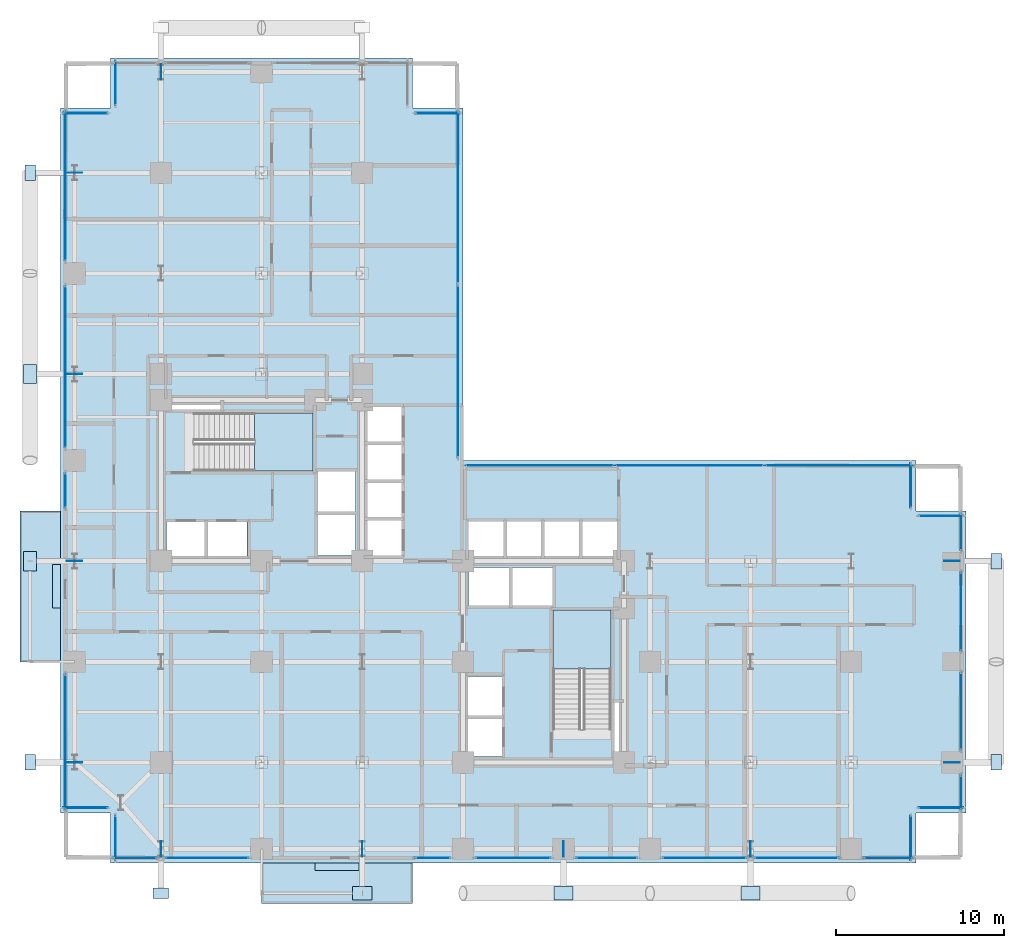
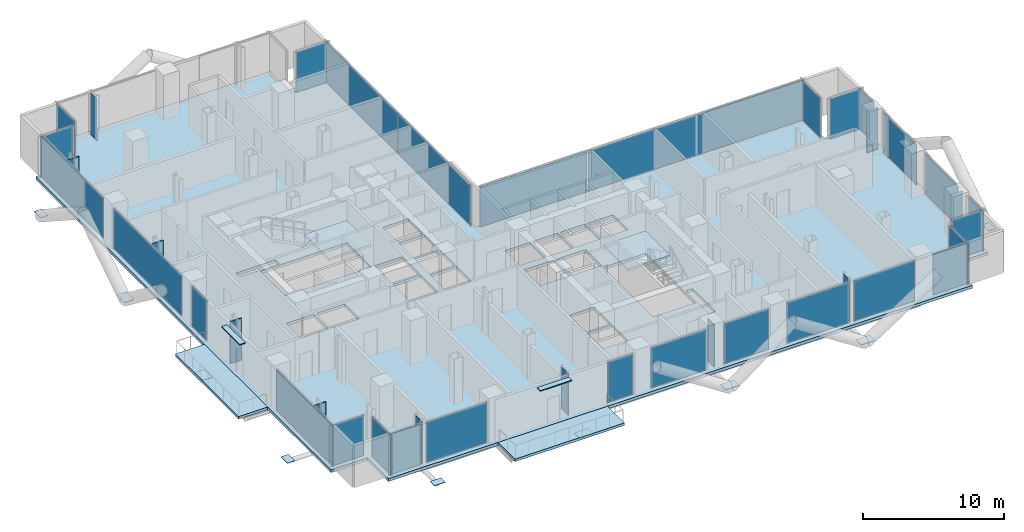
# One storey, part 17 of 25: 53 plates, 5 slabs, 29 elements without a shape of their own.
"""IFC4 building model written with IfcOpenShell, lengths in metres."""

from ifc_helpers import new_model, si_unit, direction, frame, origin, origin_2d, place, context, subcontext, project, spatial, polyline, rectangle, outline, extrude, material, layer, layer_set, type_object, element, aggregate, save


model = new_model("IFC4")

# Units and contexts
model_context = context("Model", 3, precision=1e-05, world=origin(), true_north=direction((0.0, 1.0)))
body_context = subcontext(model_context, "Body", "Model", "MODEL_VIEW")
ifc_project = project(units=[si_unit("LENGTHUNIT", "METRE"), si_unit("AREAUNIT", "SQUARE_METRE"), si_unit("VOLUMEUNIT", "CUBIC_METRE"), si_unit("PLANEANGLEUNIT", "RADIAN"), si_unit("MASSUNIT", "GRAM", prefix="KILO"), si_unit("THERMODYNAMICTEMPERATUREUNIT", "KELVIN"), si_unit("POWERUNIT", "WATT")], contexts=[model_context])

# Site, building, storey
site_placement = place(None, origin())
site = spatial("IfcSite", under=ifc_project, at=site_placement, CompositionType="ELEMENT")
building_placement = place(site_placement, origin())
building = spatial("IfcBuilding", under=site, at=building_placement, Name="Svarakhadi Broadcast Tower", CompositionType="ELEMENT")
storey_placement = place(building_placement, frame((0.0, 0.0, 79.199951171875)))
storey = spatial("IfcBuildingStorey", under=building, at=storey_placement, Name="L18", CompositionType="ELEMENT", Elevation=79.199951171875)

# Curtain wall, plate
ifc_material_1 = material(Name="Anodised Bronze Aluminium AA 6063-T6", Category="aluminium")
ifc_layer_1 = layer(ifc_material_1, 0.219970703125)
ifc_layer_set_1 = layer_set([ifc_layer_1], Name="Anodised Bronze Aluminium AA 6063-T6")
curtain_wall_type = type_object("IfcCurtainWallType", Name="CW_Sys_02", PredefinedType="NOTDEFINED", material=ifc_layer_set_1)
curtain_wall_1_placement = place(storey_placement, origin())
curtain_wall_1 = element("IfcCurtainWall", 1, at=curtain_wall_1_placement, inside=storey, type_object=curtain_wall_type, Name="L18 Unitised Facade Curtain Wall 01", PredefinedType="NOTDEFINED")
ifc_material_2 = material(Name="Double Low-E Laminated Acoustic Glass IGU 36 mm", Category="glass")
ifc_layer_2 = layer(ifc_material_2, 0.035888671875)
ifc_layer_set_2 = layer_set([ifc_layer_2], Name="Double Low-E Laminated Acoustic Glass IGU 36 mm")
plate_type_1 = type_object("IfcPlateType", Name="CW_Sys_02_Pnl", PredefinedType="CURTAIN_PANEL", material=ifc_layer_set_2)
plate_1_placement = place(storey_placement, frame((1.5, 3.300048828125, 0.074951171875), z_axis=(0.0, 0.0, 1.0), x_axis=(-1.0, 0.0, 0.0)))
plate_1 = element("IfcPlate", 2, at=plate_1_placement, type_object=plate_type_1, Name="CW-02 panel 1.1", PredefinedType="CURTAIN_PANEL", context=body_context, shape_type="SweptSolid", body=[
    extrude(rectangle(XDim=2.64990234375, YDim=0.035888671875, at=origin_2d()), origin(), (0.0, 0.0, 1.0), 3.5),
])
aggregate(curtain_wall_1, [plate_1])

curtain_wall_2_placement = place(storey_placement, origin())
curtain_wall_2 = element("IfcCurtainWall", 3, at=curtain_wall_2_placement, inside=storey, type_object=curtain_wall_type, Name="L18 West Curtain Wall 02", PredefinedType="NOTDEFINED")
plate_2_placement = place(storey_placement, frame((0.300048828125, 7.2099609375, 0.074951171875), z_axis=(0.0, 0.0, 1.0), x_axis=(0.0, 1.0, 0.0)))
plate_2 = element("IfcPlate", 4, at=plate_2_placement, type_object=plate_type_1, Name="CW-02 panel 1.1", PredefinedType="CURTAIN_PANEL", context=body_context, shape_type="SweptSolid", body=[
    extrude(rectangle(XDim=8.070068359375, YDim=0.035888671875, at=origin_2d()), origin(), (0.0, 0.0, 1.0), 3.5),
])
aggregate(curtain_wall_2, [plate_2])

curtain_wall_3_placement = place(storey_placement, origin())
curtain_wall_3 = element("IfcCurtainWall", 5, at=curtain_wall_3_placement, inside=storey, type_object=curtain_wall_type, Name="L18 West Curtain Wall 03 Bay 1", PredefinedType="NOTDEFINED")
plate_3_placement = place(storey_placement, frame((0.300048828125, 22.2099609375, 0.074951171875), z_axis=(0.0, 0.0, 1.0), x_axis=(0.0, 1.0, 0.0)))
plate_3 = element("IfcPlate", 6, at=plate_3_placement, type_object=plate_type_1, Name="CW-02 panel 1.1", PredefinedType="CURTAIN_PANEL", context=body_context, shape_type="SweptSolid", body=[
    extrude(rectangle(XDim=2.070068359375, YDim=0.035888671875, at=origin_2d()), origin(), (0.0, 0.0, 1.0), 3.5),
])
aggregate(curtain_wall_3, [plate_3])

curtain_wall_4_placement = place(storey_placement, origin())
curtain_wall_4 = element("IfcCurtainWall", 7, at=curtain_wall_4_placement, inside=storey, type_object=curtain_wall_type, Name="L18 West Curtain Wall 03 Bay 2", PredefinedType="NOTDEFINED")
plate_4_placement = place(storey_placement, frame((0.300048828125, 29.574951171875, 0.074951171875), z_axis=(0.0, 0.0, 1.0), x_axis=(0.0, 1.0, 0.0)))
plate_4 = element("IfcPlate", 8, at=plate_4_placement, type_object=plate_type_1, Name="CW-02 panel 1.1", PredefinedType="CURTAIN_PANEL", context=body_context, shape_type="SweptSolid", body=[
    extrude(rectangle(XDim=9.639892578125, YDim=0.035888671875, at=origin_2d()), origin(), (0.0, 0.0, 1.0), 3.5),
])
aggregate(curtain_wall_4, [plate_4])

curtain_wall_5_placement = place(storey_placement, origin())
curtain_wall_5 = element("IfcCurtainWall", 9, at=curtain_wall_5_placement, inside=storey, type_object=curtain_wall_type, Name="L18 West Curtain Wall 03 Bay 3", PredefinedType="NOTDEFINED")
plate_5_placement = place(storey_placement, frame((0.300048828125, 40.364990234375, 0.074951171875), z_axis=(0.0, 0.0, 1.0), x_axis=(0.0, 1.0, 0.0)))
plate_5 = element("IfcPlate", 10, at=plate_5_placement, type_object=plate_type_1, Name="CW-02 panel 1.1", PredefinedType="CURTAIN_PANEL", context=body_context, shape_type="SweptSolid", body=[
    extrude(rectangle(XDim=8.919921875, YDim=0.035888671875, at=origin_2d()), origin(), (0.0, 0.0, 1.0), 3.5),
])
aggregate(curtain_wall_5, [plate_5])

curtain_wall_6_placement = place(storey_placement, origin())
curtain_wall_6 = element("IfcCurtainWall", 11, at=curtain_wall_6_placement, inside=storey, type_object=curtain_wall_type, Name="L18 Unitised Facade Curtain Wall 04", PredefinedType="NOTDEFINED")
plate_6_placement = place(storey_placement, frame((1.5, 44.699951171875, 0.074951171875), z_axis=(0.0, 0.0, 1.0), x_axis=(1.0, 0.0, 0.0)))
plate_6 = element("IfcPlate", 12, at=plate_6_placement, type_object=plate_type_1, Name="CW-02 panel 1.1", PredefinedType="CURTAIN_PANEL", context=body_context, shape_type="SweptSolid", body=[
    extrude(rectangle(XDim=2.64990234375, YDim=0.035888671875, at=origin_2d()), origin(), (0.0, 0.0, 1.0), 3.5),
])
aggregate(curtain_wall_6, [plate_6])

curtain_wall_7_placement = place(storey_placement, origin())
curtain_wall_7 = element("IfcCurtainWall", 13, at=curtain_wall_7_placement, inside=storey, type_object=curtain_wall_type, Name="L18 Unitised Facade Curtain Wall 05", PredefinedType="NOTDEFINED")
plate_7_placement = place(storey_placement, frame((3.300048828125, 46.5, 0.074951171875), z_axis=(0.0, 0.0, 1.0), x_axis=(0.0, 1.0, 0.0)))
plate_7 = element("IfcPlate", 14, at=plate_7_placement, type_object=plate_type_1, Name="CW-02 panel 1.1", PredefinedType="CURTAIN_PANEL", context=body_context, shape_type="SweptSolid", body=[
    extrude(rectangle(XDim=2.64990234375, YDim=0.035888671875, at=origin_2d()), origin(), (0.0, 0.0, 1.0), 3.5),
])
aggregate(curtain_wall_7, [plate_7])

curtain_wall_8_placement = place(storey_placement, origin())
curtain_wall_8 = element("IfcCurtainWall", 15, at=curtain_wall_8_placement, inside=storey, type_object=curtain_wall_type, Name="L18 Unitised Facade Curtain Wall 08", PredefinedType="NOTDEFINED")
plate_8_placement = place(storey_placement, frame((22.5, 44.699951171875, 0.074951171875), z_axis=(0.0, 0.0, 1.0), x_axis=(1.0, 0.0, 0.0)))
plate_8 = element("IfcPlate", 16, at=plate_8_placement, type_object=plate_type_1, Name="CW-02 panel 1.1", PredefinedType="CURTAIN_PANEL", context=body_context, shape_type="SweptSolid", body=[
    extrude(rectangle(XDim=2.64990234375, YDim=0.035888671875, at=origin_2d()), origin(), (0.0, 0.0, 1.0), 3.5),
])
aggregate(curtain_wall_8, [plate_8])

# Curtain wall, plates
curtain_wall_9_placement = place(storey_placement, origin())
curtain_wall_9 = element("IfcCurtainWall", 17, at=curtain_wall_9_placement, inside=storey, type_object=curtain_wall_type, Name="L18 Unitised Facade Curtain Wall 09", PredefinedType="NOTDEFINED")
plate_9_placement = place(storey_placement, frame((23.699951171875, 39.683837890625, 0.074951171875), z_axis=(0.0, 0.0, 1.0), x_axis=(0.0, -1.0, 0.0)))
plate_9 = element("IfcPlate", 18, at=plate_9_placement, type_object=plate_type_1, Name="CW-02 panel 1.1", PredefinedType="CURTAIN_PANEL", context=body_context, shape_type="SweptSolid", body=[
    extrude(rectangle(XDim=10.282470703125, YDim=0.035888671875, at=origin_2d()), origin(), (0.0, 0.0, 1.0), 3.5),
])
plate_10_placement = place(storey_placement, frame((23.699951171875, 29.316162109375, 0.074951171875), z_axis=(0.0, 0.0, 1.0), x_axis=(0.0, -1.0, 0.0)))
plate_10 = element("IfcPlate", 19, at=plate_10_placement, type_object=plate_type_1, Name="CW-02 panel 2.1", PredefinedType="CURTAIN_PANEL", context=body_context, shape_type="SweptSolid", body=[
    extrude(rectangle(XDim=10.282470703125, YDim=0.035888671875, at=origin_2d()), origin(), (0.0, 0.0, 1.0), 3.5),
])
aggregate(curtain_wall_9, [plate_9, plate_10])

curtain_wall_10_placement = place(storey_placement, origin())
curtain_wall_10 = element("IfcCurtainWall", 20, at=curtain_wall_10_placement, inside=storey, type_object=curtain_wall_type, Name="L18 Unitised Facade Curtain Wall 10", PredefinedType="NOTDEFINED")
plate_11_placement = place(storey_placement, frame((28.581298828125, 23.699951171875, 0.074951171875), z_axis=(0.0, 0.0, 1.0), x_axis=(1.0, 0.0, 0.0)))
plate_11 = element("IfcPlate", 21, at=plate_11_placement, type_object=plate_type_1, Name="CW-02 panel 1.1", PredefinedType="CURTAIN_PANEL", context=body_context, shape_type="SweptSolid", body=[
    extrude(rectangle(XDim=8.8125, YDim=0.035888671875, at=origin_2d()), origin(), (0.0, 0.0, 1.0), 3.5),
])
plate_12_placement = place(storey_placement, frame((37.5, 23.699951171875, 0.074951171875), z_axis=(0.0, 0.0, 1.0), x_axis=(1.0, 0.0, 0.0)))
plate_12 = element("IfcPlate", 22, at=plate_12_placement, type_object=plate_type_1, Name="CW-02 panel 2.1", PredefinedType="CURTAIN_PANEL", context=body_context, shape_type="SweptSolid", body=[
    extrude(rectangle(XDim=8.85498046875, YDim=0.035888671875, at=origin_2d()), origin(), (0.0, 0.0, 1.0), 3.5),
])
plate_13_placement = place(storey_placement, frame((46.418701171875, 23.699951171875, 0.074951171875), z_axis=(0.0, 0.0, 1.0), x_axis=(1.0, 0.0, 0.0)))
plate_13 = element("IfcPlate", 23, at=plate_13_placement, type_object=plate_type_1, Name="CW-02 panel 3.1", PredefinedType="CURTAIN_PANEL", context=body_context, shape_type="SweptSolid", body=[
    extrude(rectangle(XDim=8.8125, YDim=0.035888671875, at=origin_2d()), origin(), (0.0, 0.0, 1.0), 3.5),
])
aggregate(curtain_wall_10, [plate_11, plate_12, plate_13])

# Curtain wall, plate
curtain_wall_11_placement = place(storey_placement, origin())
curtain_wall_11 = element("IfcCurtainWall", 24, at=curtain_wall_11_placement, inside=storey, type_object=curtain_wall_type, Name="L18 Unitised Facade Curtain Wall 11", PredefinedType="NOTDEFINED")
plate_14_placement = place(storey_placement, frame((50.699951171875, 22.5, 0.074951171875), z_axis=(0.0, 0.0, 1.0), x_axis=(0.0, -1.0, 0.0)))
plate_14 = element("IfcPlate", 25, at=plate_14_placement, type_object=plate_type_1, Name="CW-02 panel 1.1", PredefinedType="CURTAIN_PANEL", context=body_context, shape_type="SweptSolid", body=[
    extrude(rectangle(XDim=2.64990234375, YDim=0.035888671875, at=origin_2d()), origin(), (0.0, 0.0, 1.0), 3.5),
])
aggregate(curtain_wall_11, [plate_14])

curtain_wall_12_placement = place(storey_placement, origin())
curtain_wall_12 = element("IfcCurtainWall", 26, at=curtain_wall_12_placement, inside=storey, type_object=curtain_wall_type, Name="L18 Unitised Facade Curtain Wall 12", PredefinedType="NOTDEFINED")
plate_15_placement = place(storey_placement, frame((52.5, 20.699951171875, 0.074951171875), z_axis=(0.0, 0.0, 1.0), x_axis=(1.0, 0.0, 0.0)))
plate_15 = element("IfcPlate", 27, at=plate_15_placement, type_object=plate_type_1, Name="CW-02 panel 1.1", PredefinedType="CURTAIN_PANEL", context=body_context, shape_type="SweptSolid", body=[
    extrude(rectangle(XDim=2.64990234375, YDim=0.035888671875, at=origin_2d()), origin(), (0.0, 0.0, 1.0), 3.5),
])
aggregate(curtain_wall_12, [plate_15])

curtain_wall_13_placement = place(storey_placement, origin())
curtain_wall_13 = element("IfcCurtainWall", 28, at=curtain_wall_13_placement, inside=storey, type_object=curtain_wall_type, Name="L18 Unitised Facade Curtain Wall 13 Bay 1", PredefinedType="NOTDEFINED")
plate_16_placement = place(storey_placement, frame((53.699951171875, 19.739990234375, 0.074951171875), z_axis=(0.0, 0.0, 1.0), x_axis=(0.0, -1.0, 0.0)))
plate_16 = element("IfcPlate", 29, at=plate_16_placement, type_object=plate_type_1, Name="CW-02 panel 1.1", PredefinedType="CURTAIN_PANEL", context=body_context, shape_type="SweptSolid", body=[
    extrude(rectangle(XDim=2.169921875, YDim=0.035888671875, at=origin_2d()), origin(), (0.0, 0.0, 1.0), 3.5),
])
aggregate(curtain_wall_13, [plate_16])

curtain_wall_14_placement = place(storey_placement, origin())
curtain_wall_14 = element("IfcCurtainWall", 30, at=curtain_wall_14_placement, inside=storey, type_object=curtain_wall_type, Name="L18 Unitised Facade Curtain Wall 13 Bay 2", PredefinedType="NOTDEFINED")
plate_17_placement = place(storey_placement, frame((53.699951171875, 15.0, 0.074951171875), z_axis=(0.0, 0.0, 1.0), x_axis=(0.0, -1.0, 0.0)))
plate_17 = element("IfcPlate", 31, at=plate_17_placement, type_object=plate_type_1, Name="CW-02 panel 1.1", PredefinedType="CURTAIN_PANEL", context=body_context, shape_type="SweptSolid", body=[
    extrude(rectangle(XDim=4.68994140625, YDim=0.035888671875, at=origin_2d()), origin(), (0.0, 0.0, 1.0), 3.5),
])
aggregate(curtain_wall_14, [plate_17])

curtain_wall_15_placement = place(storey_placement, origin())
curtain_wall_15 = element("IfcCurtainWall", 32, at=curtain_wall_15_placement, inside=storey, type_object=curtain_wall_type, Name="L18 Unitised Facade Curtain Wall 13 Bay 3", PredefinedType="NOTDEFINED")
plate_18_placement = place(storey_placement, frame((53.699951171875, 9.050048828125, 0.074951171875), z_axis=(0.0, 0.0, 1.0), x_axis=(0.0, -1.0, 0.0)))
plate_18 = element("IfcPlate", 33, at=plate_18_placement, type_object=plate_type_1, Name="CW-02 panel 1.1", PredefinedType="CURTAIN_PANEL", context=body_context, shape_type="SweptSolid", body=[
    extrude(rectangle(XDim=4.590087890625, YDim=0.035888671875, at=origin_2d()), origin(), (0.0, 0.0, 1.0), 3.5),
])
aggregate(curtain_wall_15, [plate_18])

curtain_wall_16_placement = place(storey_placement, origin())
curtain_wall_16 = element("IfcCurtainWall", 34, at=curtain_wall_16_placement, inside=storey, type_object=curtain_wall_type, Name="L18 Unitised Facade Curtain Wall 13 Bay 4", PredefinedType="NOTDEFINED")
plate_19_placement = place(storey_placement, frame((53.699951171875, 4.2099609375, 0.074951171875), z_axis=(0.0, 0.0, 1.0), x_axis=(0.0, -1.0, 0.0)))
plate_19 = element("IfcPlate", 35, at=plate_19_placement, type_object=plate_type_1, Name="CW-02 panel 1.1", PredefinedType="CURTAIN_PANEL", context=body_context, shape_type="SweptSolid", body=[
    extrude(rectangle(XDim=2.070068359375, YDim=0.035888671875, at=origin_2d()), origin(), (0.0, 0.0, 1.0), 3.5),
])
aggregate(curtain_wall_16, [plate_19])

curtain_wall_17_placement = place(storey_placement, origin())
curtain_wall_17 = element("IfcCurtainWall", 36, at=curtain_wall_17_placement, inside=storey, type_object=curtain_wall_type, Name="L18 Unitised Facade Curtain Wall 14", PredefinedType="NOTDEFINED")
plate_20_placement = place(storey_placement, frame((52.5, 3.300048828125, 0.074951171875), z_axis=(0.0, 0.0, 1.0), x_axis=(-1.0, 0.0, 0.0)))
plate_20 = element("IfcPlate", 37, at=plate_20_placement, type_object=plate_type_1, Name="CW-02 panel 1.1", PredefinedType="CURTAIN_PANEL", context=body_context, shape_type="SweptSolid", body=[
    extrude(rectangle(XDim=2.64990234375, YDim=0.035888671875, at=origin_2d()), origin(), (0.0, 0.0, 1.0), 3.5),
])
aggregate(curtain_wall_17, [plate_20])

curtain_wall_18_placement = place(storey_placement, origin())
curtain_wall_18 = element("IfcCurtainWall", 38, at=curtain_wall_18_placement, inside=storey, type_object=curtain_wall_type, Name="L18 Unitised Facade Curtain Wall 15", PredefinedType="NOTDEFINED")
plate_21_placement = place(storey_placement, frame((50.699951171875, 1.5, 0.074951171875), z_axis=(0.0, 0.0, 1.0), x_axis=(0.0, -1.0, 0.0)))
plate_21 = element("IfcPlate", 39, at=plate_21_placement, type_object=plate_type_1, Name="CW-02 panel 1.1", PredefinedType="CURTAIN_PANEL", context=body_context, shape_type="SweptSolid", body=[
    extrude(rectangle(XDim=2.64990234375, YDim=0.035888671875, at=origin_2d()), origin(), (0.0, 0.0, 1.0), 3.5),
])
aggregate(curtain_wall_18, [plate_21])

curtain_wall_19_placement = place(storey_placement, origin())
curtain_wall_19 = element("IfcCurtainWall", 40, at=curtain_wall_19_placement, inside=storey, type_object=curtain_wall_type, Name="L18 South Curtain Wall 16 Bay 1", PredefinedType="NOTDEFINED")
plate_22_placement = place(storey_placement, frame((49.364990234375, 0.300048828125, 0.074951171875), z_axis=(0.0, 0.0, 1.0), x_axis=(-1.0, 0.0, 0.0)))
plate_22 = element("IfcPlate", 41, at=plate_22_placement, type_object=plate_type_1, Name="CW-02 panel 1.1", PredefinedType="CURTAIN_PANEL", context=body_context, shape_type="SweptSolid", body=[
    extrude(rectangle(XDim=2.919921875, YDim=0.035888671875, at=origin_2d()), origin(), (0.0, 0.0, 1.0), 3.5),
])
aggregate(curtain_wall_19, [plate_22])

curtain_wall_20_placement = place(storey_placement, origin())
curtain_wall_20 = element("IfcCurtainWall", 42, at=curtain_wall_20_placement, inside=storey, type_object=curtain_wall_type, Name="L18 South Curtain Wall 16 Bay 2", PredefinedType="NOTDEFINED")
plate_23_placement = place(storey_placement, frame((43.89990234375, 0.300048828125, 0.074951171875), z_axis=(0.0, 0.0, 1.0), x_axis=(-1.0, 0.0, 0.0)))
plate_23 = element("IfcPlate", 43, at=plate_23_placement, type_object=plate_type_1, Name="CW-02 panel 1.1", PredefinedType="CURTAIN_PANEL", context=body_context, shape_type="SweptSolid", body=[
    extrude(rectangle(XDim=4.989990234375, YDim=0.035888671875, at=origin_2d()), origin(), (0.0, 0.0, 1.0), 3.5),
])
aggregate(curtain_wall_20, [plate_23])

curtain_wall_21_placement = place(storey_placement, origin())
curtain_wall_21 = element("IfcCurtainWall", 44, at=curtain_wall_21_placement, inside=storey, type_object=curtain_wall_type, Name="L18 South Curtain Wall 16 Bay 3", PredefinedType="NOTDEFINED")
plate_24_placement = place(storey_placement, frame((38.39990234375, 0.300048828125, 0.074951171875), z_axis=(0.0, 0.0, 1.0), x_axis=(-1.0, 0.0, 0.0)))
plate_24 = element("IfcPlate", 45, at=plate_24_placement, type_object=plate_type_1, Name="CW-02 panel 1.1", PredefinedType="CURTAIN_PANEL", context=body_context, shape_type="SweptSolid", body=[
    extrude(rectangle(XDim=4.989990234375, YDim=0.035888671875, at=origin_2d()), origin(), (0.0, 0.0, 1.0), 3.5),
])
aggregate(curtain_wall_21, [plate_24])

curtain_wall_22_placement = place(storey_placement, origin())
curtain_wall_22 = element("IfcCurtainWall", 46, at=curtain_wall_22_placement, inside=storey, type_object=curtain_wall_type, Name="L18 South Curtain Wall 16 Bay 4", PredefinedType="NOTDEFINED")
plate_25_placement = place(storey_placement, frame((32.574951171875, 0.300048828125, 0.074951171875), z_axis=(0.0, 0.0, 1.0), x_axis=(-1.0, 0.0, 0.0)))
plate_25 = element("IfcPlate", 47, at=plate_25_placement, type_object=plate_type_1, Name="CW-02 panel 1.1", PredefinedType="CURTAIN_PANEL", context=body_context, shape_type="SweptSolid", body=[
    extrude(rectangle(XDim=3.639892578125, YDim=0.035888671875, at=origin_2d()), origin(), (0.0, 0.0, 1.0), 3.5),
])
aggregate(curtain_wall_22, [plate_25])

curtain_wall_23_placement = place(storey_placement, origin())
curtain_wall_23 = element("IfcCurtainWall", 48, at=curtain_wall_23_placement, inside=storey, type_object=curtain_wall_type, Name="L18 South Curtain Wall 16 Bay 5", PredefinedType="NOTDEFINED")
plate_26_placement = place(storey_placement, frame((27.0, 0.300048828125, 0.074951171875), z_axis=(0.0, 0.0, 1.0), x_axis=(-1.0, 0.0, 0.0)))
plate_26 = element("IfcPlate", 49, at=plate_26_placement, type_object=plate_type_1, Name="CW-02 panel 1.1", PredefinedType="CURTAIN_PANEL", context=body_context, shape_type="SweptSolid", body=[
    extrude(rectangle(XDim=4.489990234375, YDim=0.035888671875, at=origin_2d()), origin(), (0.0, 0.0, 1.0), 3.5),
])
aggregate(curtain_wall_23, [plate_26])

curtain_wall_24_placement = place(storey_placement, origin())
curtain_wall_24 = element("IfcCurtainWall", 50, at=curtain_wall_24_placement, inside=storey, type_object=curtain_wall_type, Name="L18 South Curtain Wall 16 Bay 6", PredefinedType="NOTDEFINED")
plate_27_placement = place(storey_placement, frame((22.2099609375, 0.300048828125, 0.074951171875), z_axis=(0.0, 0.0, 1.0), x_axis=(-1.0, 0.0, 0.0)))
plate_27 = element("IfcPlate", 51, at=plate_27_placement, type_object=plate_type_1, Name="CW-02 panel 1.1", PredefinedType="CURTAIN_PANEL", context=body_context, shape_type="SweptSolid", body=[
    extrude(rectangle(XDim=2.070068359375, YDim=0.035888671875, at=origin_2d()), origin(), (0.0, 0.0, 1.0), 3.5),
])
aggregate(curtain_wall_24, [plate_27])

curtain_wall_25_placement = place(storey_placement, origin())
curtain_wall_25 = element("IfcCurtainWall", 52, at=curtain_wall_25_placement, inside=storey, type_object=curtain_wall_type, Name="L18 South Curtain Wall 17 Bay 1", PredefinedType="NOTDEFINED")
plate_28_placement = place(storey_placement, frame((8.75, 0.300048828125, 0.074951171875), z_axis=(0.0, 0.0, 1.0), x_axis=(-1.0, 0.0, 0.0)))
plate_28 = element("IfcPlate", 53, at=plate_28_placement, type_object=plate_type_1, Name="CW-02 panel 1.1", PredefinedType="CURTAIN_PANEL", context=body_context, shape_type="SweptSolid", body=[
    extrude(rectangle(XDim=4.989990234375, YDim=0.035888671875, at=origin_2d()), origin(), (0.0, 0.0, 1.0), 3.5),
])
aggregate(curtain_wall_25, [plate_28])

curtain_wall_26_placement = place(storey_placement, origin())
curtain_wall_26 = element("IfcCurtainWall", 54, at=curtain_wall_26_placement, inside=storey, type_object=curtain_wall_type, Name="L18 South Curtain Wall 17 Bay 2", PredefinedType="NOTDEFINED")
plate_29_placement = place(storey_placement, frame((4.4599609375, 0.300048828125, 0.074951171875), z_axis=(0.0, 0.0, 1.0), x_axis=(-1.0, 0.0, 0.0)))
plate_29 = element("IfcPlate", 55, at=plate_29_placement, type_object=plate_type_1, Name="CW-02 panel 1.1", PredefinedType="CURTAIN_PANEL", context=body_context, shape_type="SweptSolid", body=[
    extrude(rectangle(XDim=2.570068359375, YDim=0.035888671875, at=origin_2d()), origin(), (0.0, 0.0, 1.0), 3.5),
])
aggregate(curtain_wall_26, [plate_29])

curtain_wall_27_placement = place(storey_placement, origin())
curtain_wall_27 = element("IfcCurtainWall", 56, at=curtain_wall_27_placement, inside=storey, type_object=curtain_wall_type, Name="L18 Unitised Facade Curtain Wall 18", PredefinedType="NOTDEFINED")
plate_30_placement = place(storey_placement, frame((3.300048828125, 1.5, 0.074951171875), z_axis=(0.0, 0.0, 1.0), x_axis=(0.0, 1.0, 0.0)))
plate_30 = element("IfcPlate", 57, at=plate_30_placement, type_object=plate_type_1, Name="CW-02 panel 1.1", PredefinedType="CURTAIN_PANEL", context=body_context, shape_type="SweptSolid", body=[
    extrude(rectangle(XDim=2.64990234375, YDim=0.035888671875, at=origin_2d()), origin(), (0.0, 0.0, 1.0), 3.5),
])
aggregate(curtain_wall_27, [plate_30])

# Plates
ifc_material_3 = material(Name="Steel S460ML (IS 2062 E450BR)", Category="steel")
ifc_layer_3 = layer(ifc_material_3, 0.035888671875)
ifc_layer_set_3 = layer_set([ifc_layer_3], Name="Steel S460ML (IS 2062 E450BR)")
plate_type_2 = type_object("IfcPlateType", Name="Node_Gusset_N01", PredefinedType="SHEET", material=ifc_layer_set_3)
for number, where, z_axis, x_axis, name in (
    (58, (18.0, -1.800048828125, -0.25), (0.0, 0.0, 1.0), (1.0, 0.0, 0.0), "L18 Exoskeleton Gusset Node Plate S02"),
    (59, (30.0, -1.800048828125, -0.25), (0.0, 0.0, 1.0), (1.0, 0.0, 0.0), "L18 Exoskeleton Gusset Node Plate S03"),
    (60, (41.14990234375, -1.800048828125, -0.25), (0.0, 0.0, 1.0), (1.0, 0.0, 0.0), "L18 Exoskeleton Gusset Node Plate S04"),
    (61, (-1.800048828125, 18.0, -0.25), (0.0, 0.0, 1.0), (0.0, 1.0, 0.0), "L18 Exoskeleton Gusset Node Plate W06"),
    (62, (-1.800048828125, 29.14990234375, -0.25), (0.0, 0.0, 1.0), (0.0, 1.0, 0.0), "L18 Exoskeleton Gusset Node Plate W07"),
):
    element("IfcPlate", number, at=place(storey_placement, frame(where, z_axis=z_axis, x_axis=x_axis)), inside=storey, type_object=plate_type_2, Name=name, PredefinedType="SHEET", context=body_context, shape_type="SweptSolid", body=[
        extrude(rectangle(XDim=1.14990234375, YDim=0.780029296875, at=origin_2d()), origin(), (0.0, 0.0, 1.0), 0.035888671875),
    ])
ifc_layer_4 = layer(ifc_material_3, 0.02587890625)
ifc_layer_set_4 = layer_set([ifc_layer_4], Name="Steel S460ML (IS 2062 E450BR)")
plate_type_3 = type_object("IfcPlateType", Name="Node_Gusset_N07", PredefinedType="SHEET", material=ifc_layer_set_4)
for number, where, z_axis, x_axis, name in (
    (63, (6.0, -1.800048828125, -0.25), (0.0, 0.0, 1.0), (1.0, 0.0, 0.0), "L18 Exoskeleton Gusset Node Plate S01"),
    (64, (-1.800048828125, 6.0, -0.25), (0.0, 0.0, 1.0), (0.0, 1.0, 0.0), "L18 Exoskeleton Gusset Node Plate W05"),
    (65, (-1.800048828125, 41.14990234375, -0.25), (0.0, 0.0, 1.0), (0.0, 1.0, 0.0), "L18 Exoskeleton Gusset Node Plate W08"),
    (66, (55.800048828125, 6.0, -0.25), (0.0, 0.0, 1.0), (0.0, 1.0, 0.0), "L18 Exoskeleton Gusset Node Plate E09"),
    (67, (55.800048828125, 18.0, -0.25), (0.0, 0.0, 1.0), (0.0, 1.0, 0.0), "L18 Exoskeleton Gusset Node Plate E10"),
):
    element("IfcPlate", number, at=place(storey_placement, frame(where, z_axis=z_axis, x_axis=x_axis)), inside=storey, type_object=plate_type_3, Name=name, PredefinedType="SHEET", context=body_context, shape_type="SweptSolid", body=[
        extrude(rectangle(XDim=0.919921875, YDim=0.6201171875, at=origin_2d()), origin(), (0.0, 0.0, 1.0), 0.02587890625),
    ])
for number, where, z_axis, x_axis, name in (
    (68, (6.0, 0.85009765625, -0.6279296875), (0.0, 0.0, 1.0), (0.0, 1.0, 0.0), "L18 Brace End Connection Gusset Plate N-07-E0129"),
    (69, (18.0, 0.85009765625, -0.6279296875), (0.0, 0.0, 1.0), (0.0, 1.0, 0.0), "L18 Brace End Connection Gusset Plate N-07-E0130"),
    (70, (30.0, 0.85009765625, -0.6279296875), (0.0, 0.0, 1.0), (0.0, 1.0, 0.0), "L18 Brace End Connection Gusset Plate N-07-E0131"),
    (71, (41.14990234375, 0.85009765625, -0.6279296875), (0.0, 0.0, 1.0), (0.0, 1.0, 0.0), "L18 Brace End Connection Gusset Plate N-07-E0132"),
    (72, (0.85009765625, 6.0, -0.6279296875), (0.0, 0.0, 1.0), (1.0, 0.0, 0.0), "L18 Brace End Connection Gusset Plate N-07-E0133"),
    (73, (0.85009765625, 18.0, -0.6279296875), (0.0, 0.0, 1.0), (1.0, 0.0, 0.0), "L18 Brace End Connection Gusset Plate N-07-E0134"),
    (74, (0.85009765625, 29.14990234375, -0.6279296875), (0.0, 0.0, 1.0), (1.0, 0.0, 0.0), "L18 Brace End Connection Gusset Plate N-07-E0135"),
    (75, (0.85009765625, 41.14990234375, -0.6279296875), (0.0, 0.0, 1.0), (1.0, 0.0, 0.0), "L18 Brace End Connection Gusset Plate N-07-E0136"),
    (76, (53.14990234375, 6.0, -0.6279296875), (0.0, 0.0, 1.0), (1.0, 0.0, 0.0), "L18 Brace End Connection Gusset Plate N-07-E0137"),
    (77, (53.14990234375, 18.0, -0.6279296875), (0.0, 0.0, 1.0), (1.0, 0.0, 0.0), "L18 Brace End Connection Gusset Plate N-07-E0138"),
    (78, (6.0, 47.14990234375, -0.6279296875), (0.0, 0.0, 1.0), (0.0, 1.0, 0.0), "L18 Brace End Connection Gusset Plate N-07-E0139"),
):
    element("IfcPlate", number, at=place(storey_placement, frame(where, z_axis=z_axis, x_axis=x_axis)), inside=storey, type_object=plate_type_3, Name=name, PredefinedType="SHEET", context=body_context, shape_type="SweptSolid", body=[
        extrude(rectangle(XDim=0.919921875, YDim=0.02587890625, at=origin_2d()), origin(), (0.0, 0.0, 1.0), 4.300048828125),
    ])

# Slab
ifc_material_4 = material(Name="Concrete C40/50 (IS 456 M50)", Category="concrete")
ifc_layer_5 = layer(ifc_material_4, 0.25)
ifc_layer_set_5 = layer_set([ifc_layer_5], Name="Concrete C40/50 (IS 456 M50)")
slab_type_1 = type_object("IfcSlabType", Name="Slab_Floor_250", PredefinedType="FLOOR", material=ifc_layer_set_5)
slab_1_placement = place(storey_placement, frame((0.0, 0.0, -0.25)))
element("IfcSlab", 79, at=slab_1_placement, inside=storey, type_object=slab_type_1, Name="L18 Structural Floor Slab", PredefinedType="FLOOR", context=body_context, shape_type="SweptSolid", body=[
    extrude(outline(polyline([(3.0, 0.0), (51.0, 0.0), (51.0, 3.0), (54.0, 3.0), (54.0, 21.0), (51.0, 21.0), (51.0, 24.0), (24.0, 24.0), (24.0, 45.0), (21.0, 45.0), (21.0, 48.0), (3.0, 48.0), (3.0, 45.0), (0.0, 45.0), (0.0, 3.0), (3.0, 3.0), (3.0, 0.0)]), holes=[polyline([(7.97998046875, 23.360107421875), (15.080078125, 23.360107421875), (15.080078125, 26.840087890625), (7.97998046875, 26.840087890625), (7.97998046875, 23.360107421875)]), polyline([(32.840087890625, 7.97998046875), (32.840087890625, 15.080078125), (29.360107421875, 15.080078125), (29.360107421875, 7.97998046875), (32.840087890625, 7.97998046875)]), polyline([(6.340087890625, 18.2900390625), (8.610107421875, 18.2900390625), (8.610107421875, 20.330078125), (6.340087890625, 20.330078125), (6.340087890625, 18.2900390625)]), polyline([(8.7900390625, 18.2900390625), (11.1298828125, 18.2900390625), (11.1298828125, 20.330078125), (8.7900390625, 20.330078125), (8.7900390625, 18.2900390625)]), polyline([(24.2900390625, 6.340087890625), (26.330078125, 6.340087890625), (26.330078125, 8.610107421875), (24.2900390625, 8.610107421875), (24.2900390625, 6.340087890625)]), polyline([(24.2900390625, 8.7900390625), (26.330078125, 8.7900390625), (26.330078125, 11.1298828125), (24.2900390625, 11.1298828125), (24.2900390625, 8.7900390625)]), polyline([(6.340087890625, 26.989990234375), (9.610107421875, 26.989990234375), (9.610107421875, 27.530029296875), (6.340087890625, 27.530029296875), (6.340087890625, 26.989990234375)]), polyline([(32.989990234375, 6.340087890625), (33.530029296875, 6.340087890625), (33.530029296875, 9.610107421875), (32.989990234375, 9.610107421875), (32.989990234375, 6.340087890625)]), polyline([(15.340087890625, 18.340087890625), (17.610107421875, 18.340087890625), (17.610107421875, 20.760009765625), (15.340087890625, 20.760009765625), (15.340087890625, 18.340087890625)]), polyline([(15.340087890625, 20.93994140625), (17.610107421875, 20.93994140625), (17.610107421875, 23.360107421875), (15.340087890625, 23.360107421875), (15.340087890625, 20.93994140625)]), polyline([(24.340087890625, 15.340087890625), (26.760009765625, 15.340087890625), (26.760009765625, 17.610107421875), (24.340087890625, 17.610107421875), (24.340087890625, 15.340087890625)]), polyline([(26.93994140625, 15.340087890625), (29.360107421875, 15.340087890625), (29.360107421875, 17.610107421875), (26.93994140625, 17.610107421875), (26.93994140625, 15.340087890625)]), polyline([(18.239990234375, 18.340087890625), (20.360107421875, 18.340087890625), (20.360107421875, 20.429931640625), (18.239990234375, 20.429931640625), (18.239990234375, 18.340087890625)]), polyline([(18.239990234375, 20.610107421875), (20.360107421875, 20.610107421875), (20.360107421875, 22.679931640625), (18.239990234375, 22.679931640625), (18.239990234375, 20.610107421875)]), polyline([(18.239990234375, 22.860107421875), (20.360107421875, 22.860107421875), (20.360107421875, 24.929931640625), (18.239990234375, 24.929931640625), (18.239990234375, 22.860107421875)]), polyline([(18.239990234375, 25.110107421875), (20.360107421875, 25.110107421875), (20.360107421875, 27.2099609375), (18.239990234375, 27.2099609375), (18.239990234375, 25.110107421875)]), polyline([(24.340087890625, 18.239990234375), (26.429931640625, 18.239990234375), (26.429931640625, 20.360107421875), (24.340087890625, 20.360107421875), (24.340087890625, 18.239990234375)]), polyline([(26.610107421875, 18.239990234375), (28.679931640625, 18.239990234375), (28.679931640625, 20.360107421875), (26.610107421875, 20.360107421875), (26.610107421875, 18.239990234375)]), polyline([(28.860107421875, 18.239990234375), (30.929931640625, 18.239990234375), (30.929931640625, 20.360107421875), (28.860107421875, 20.360107421875), (28.860107421875, 18.239990234375)]), polyline([(31.110107421875, 18.239990234375), (33.2099609375, 18.239990234375), (33.2099609375, 20.360107421875), (31.110107421875, 20.360107421875), (31.110107421875, 18.239990234375)])]), origin(), (0.0, 0.0, 1.0), 0.25),
])

# Stair, slab
stair_type = type_object("IfcStairType", Name="Stair_Exit_Core", PredefinedType="HALF_TURN_STAIR", material=ifc_material_4)
stair_1_placement = place(storey_placement, origin())
stair_1 = element("IfcStair", 80, at=stair_1_placement, inside=storey, type_object=stair_type, Name="L18 West Core Protected Exit Stair ST-01", PredefinedType="HALF_TURN_STAIR")
ifc_layer_6 = layer(ifc_material_4, 0.199951171875)
ifc_layer_set_6 = layer_set([ifc_layer_6], Name="Concrete C40/50 (IS 456 M50)")
slab_type_2 = type_object("IfcSlabType", Name="Slab_Stair_Land", PredefinedType="LANDING", material=ifc_layer_set_6)
slab_2_placement = place(storey_placement, frame((0.0, 0.0, 1.75)))
slab_2 = element("IfcSlab", 81, at=slab_2_placement, type_object=slab_type_2, Name="ST-01 landing 1", PredefinedType="LANDING", context=body_context, shape_type="SweptSolid", body=[
    extrude(outline(polyline([(11.580078125, 23.360107421875), (15.080078125, 23.360107421875), (15.080078125, 26.840087890625), (11.580078125, 26.840087890625), (11.580078125, 23.360107421875)])), origin(), (0.0, 0.0, 1.0), 0.199951171875),
])
aggregate(stair_1, [slab_2])

stair_2_placement = place(storey_placement, origin())
stair_2 = element("IfcStair", 82, at=stair_2_placement, inside=storey, type_object=stair_type, Name="L18 East Core Protected Exit Stair ST-02", PredefinedType="HALF_TURN_STAIR")
slab_3_placement = place(storey_placement, frame((0.0, 0.0, 1.75)))
slab_3 = element("IfcSlab", 83, at=slab_3_placement, type_object=slab_type_2, Name="ST-02 landing 1", PredefinedType="LANDING", context=body_context, shape_type="SweptSolid", body=[
    extrude(outline(polyline([(32.840087890625, 11.580078125), (32.840087890625, 15.080078125), (29.360107421875, 15.080078125), (29.360107421875, 11.580078125), (32.840087890625, 11.580078125)])), origin(), (0.0, 0.0, 1.0), 0.199951171875),
])
aggregate(stair_2, [slab_3])

# Slabs
ifc_layer_7 = layer(ifc_material_4, 0.22509765625)
ifc_layer_set_7 = layer_set([ifc_layer_7], Name="Concrete C40/50 (IS 456 M50)")
slab_type_3 = type_object("IfcSlabType", Name="Slab_TreeBalcony", PredefinedType="FLOOR", material=ifc_layer_set_7)
slab_4_placement = place(storey_placement, frame((0.0, 0.0, -0.224853515625)))
element("IfcSlab", 84, at=slab_4_placement, inside=storey, type_object=slab_type_3, Name="L18 Planted Tree Balcony Slab BAL-S", PredefinedType="FLOOR", context=body_context, shape_type="SweptSolid", body=[
    extrude(outline(polyline([(12.0, -2.39990234375), (21.0, -2.39990234375), (21.0, 0.0), (12.0, 0.0), (12.0, -2.39990234375)])), origin(), (0.0, 0.0, 1.0), 0.224853515625),
])
slab_5_placement = place(storey_placement, frame((0.0, 0.0, -0.224853515625)))
element("IfcSlab", 85, at=slab_5_placement, inside=storey, type_object=slab_type_3, Name="L18 Planted Tree Balcony Slab BAL-W", PredefinedType="FLOOR", context=body_context, shape_type="SweptSolid", body=[
    extrude(outline(polyline([(-2.39990234375, 12.0), (0.0, 12.0), (0.0, 21.0), (-2.39990234375, 21.0), (-2.39990234375, 12.0)])), origin(), (0.0, 0.0, 1.0), 0.224853515625),
])

# Plates
ifc_layer_8 = layer(ifc_material_1, 0.080078125)
ifc_layer_set_8 = layer_set([ifc_layer_8], Name="Anodised Bronze Aluminium AA 6063-T6")
plate_type_4 = type_object("IfcPlateType", Name="Sunshade_Fin_SS01", PredefinedType="USERDEFINED", material=ifc_layer_set_8)
for number, where, z_axis, x_axis, name in (
    (86, (16.5, -0.22509765625, 3.570068359375), (0.0, 0.0, 1.0), (1.0, 0.0, 0.0), "L18 South Bronze Brise-Soleil Sunshade SS-01"),
    (87, (-0.22509765625, 16.5, 3.570068359375), (0.0, 0.0, 1.0), (0.0, 1.0, 0.0), "L18 West Bronze Brise-Soleil Sunshade SS-01"),
):
    element("IfcPlate", number, at=place(storey_placement, frame(where, z_axis=z_axis, x_axis=x_axis)), inside=storey, type_object=plate_type_4, Name=name, ObjectType="SUNSHADE", PredefinedType="USERDEFINED", context=body_context, shape_type="SweptSolid", body=[
        extrude(rectangle(XDim=2.60009765625, YDim=0.449951171875, at=origin_2d()), origin(), (0.0, 0.0, 1.0), 0.080078125),
    ])

save(model, "model.ifc")
